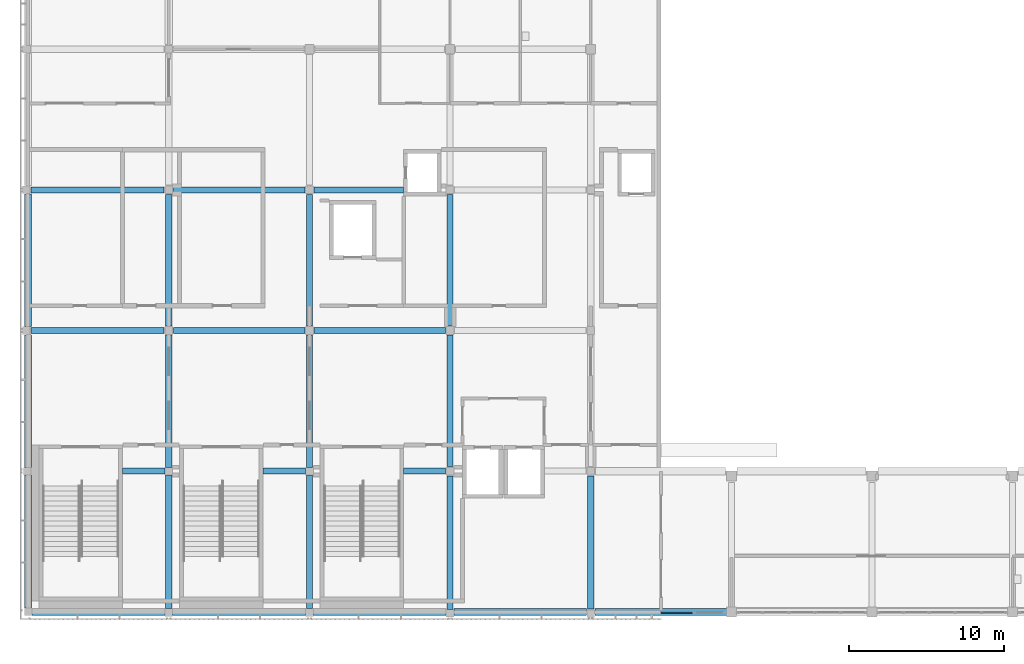
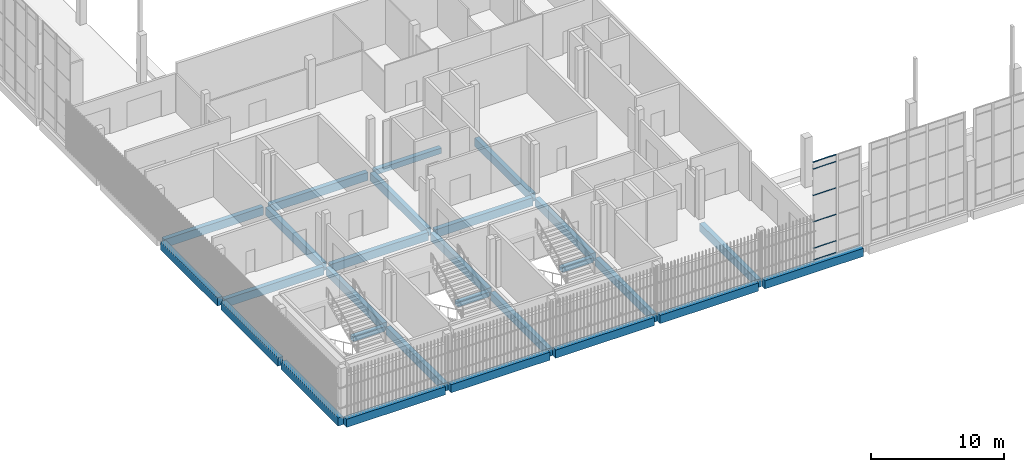
# One storey, part 3 of 91: 27 beams, 6 members, 1 element without a shape of its own.
"""IFC4 building model written with IfcOpenShell, lengths in metres."""

from ifc_helpers import new_model, si_unit, direction, frame, origin, origin_2d, place, context, subcontext, project, spatial, rectangle, hollow_rectangle, extrude, material, layer, layer_set, material_profile, profile_set, type_object, element, aggregate, save


model = new_model("IFC4")

# Units and contexts
model_context = context("Model", 3, precision=1e-05, world=origin(), true_north=direction((0.0, 1.0)))
body_context = subcontext(model_context, "Body", "Model", "MODEL_VIEW")
ifc_project = project(units=[si_unit("LENGTHUNIT", "METRE"), si_unit("AREAUNIT", "SQUARE_METRE"), si_unit("VOLUMEUNIT", "CUBIC_METRE"), si_unit("PLANEANGLEUNIT", "RADIAN"), si_unit("MASSUNIT", "GRAM", prefix="KILO")], contexts=[model_context])

# Site, building, storey
site_placement = place(None, origin())
site = spatial("IfcSite", under=ifc_project, at=site_placement, CompositionType="ELEMENT")
building_placement = place(site_placement, origin())
building = spatial("IfcBuilding", under=site, at=building_placement, Name="Shirokan Park Arena", CompositionType="ELEMENT")
storey_placement = place(building_placement, frame((0.0, 0.0, 24.570068359375)))
storey = spatial("IfcBuildingStorey", under=building, at=storey_placement, Name="L05", CompositionType="ELEMENT", Elevation=24.570068359375)

# Beams
ifc_material_1 = material(Name="Concrete C35", Category="concrete")
ifc_material_profile_1 = material_profile(ifc_material_1, rectangle(XDim=0.39990234375, YDim=0.5, at=origin_2d()), Name="400x500")
ifc_profile_set_1 = profile_set([ifc_material_profile_1], Name="Concrete C35")
beam_type_1 = type_object("IfcBeamType", Name="RC girder 400x500", PredefinedType="BEAM", material=ifc_profile_set_1)
beam_1_placement = place(storey_placement, frame((18.5, 27.300048828125, -0.550048828125), z_axis=(1.0, 0.0, 0.0), x_axis=(0.0, 1.0, 0.0)))
element("IfcBeam", 1, at=beam_1_placement, inside=storey, type_object=beam_type_1, Name="Girder 3D-4D L05", PredefinedType="BEAM", context=body_context, shape_type="SweptSolid", body=[
    extrude(rectangle(XDim=0.39990234375, YDim=0.5, at=origin_2d()), origin(), (0.0, 0.0, 1.0), 5.800048828125),
])
ifc_material_profile_2 = material_profile(ifc_material_1, rectangle(XDim=0.39990234375, YDim=0.75, at=origin_2d()), Name="400x750")
ifc_profile_set_2 = profile_set([ifc_material_profile_2], Name="Concrete C35")
beam_type_2 = type_object("IfcBeamType", Name="RC girder 400x750", PredefinedType="BEAM", material=ifc_profile_set_2)
for number, where, z_axis, x_axis, name in (
    (2, (0.175048828125, 18.199951171875, -0.675048828125), (1.0, 0.0, 0.0), (0.0, 1.0, 0.0), "Girder 1C-2C L05"),
    (3, (0.175048828125, 27.300048828125, -0.675048828125), (1.0, 0.0, 0.0), (0.0, 1.0, 0.0), "Girder 1D-2D L05"),
):
    element("IfcBeam", number, at=place(storey_placement, frame(where, z_axis=z_axis, x_axis=x_axis)), inside=storey, type_object=beam_type_2, Name=name, PredefinedType="BEAM", context=body_context, shape_type="SweptSolid", body=[
        extrude(rectangle(XDim=0.39990234375, YDim=0.75, at=origin_2d()), origin(), (0.0, 0.0, 1.0), 8.624755859375),
    ])
for number, where, z_axis, x_axis, name in (
    (4, (9.400146484375, 18.199951171875, -0.675048828125), (1.0, 0.0, 0.0), (0.0, 1.0, 0.0), "Girder 2C-3C L05"),
    (5, (9.400146484375, 27.300048828125, -0.675048828125), (1.0, 0.0, 0.0), (0.0, 1.0, 0.0), "Girder 2D-3D L05"),
):
    element("IfcBeam", number, at=place(storey_placement, frame(where, z_axis=z_axis, x_axis=x_axis)), inside=storey, type_object=beam_type_2, Name=name, PredefinedType="BEAM", context=body_context, shape_type="SweptSolid", body=[
        extrude(rectangle(XDim=0.39990234375, YDim=0.75, at=origin_2d()), origin(), (0.0, 0.0, 1.0), 8.499755859375),
    ])
beam_2_placement = place(storey_placement, frame((18.5, 18.199951171875, -0.675048828125), z_axis=(1.0, 0.0, 0.0), x_axis=(0.0, 1.0, 0.0)))
element("IfcBeam", 6, at=beam_2_placement, inside=storey, type_object=beam_type_2, Name="Girder 3C-4C L05", PredefinedType="BEAM", context=body_context, shape_type="SweptSolid", body=[
    extrude(rectangle(XDim=0.39990234375, YDim=0.75, at=origin_2d()), origin(), (0.0, 0.0, 1.0), 8.5),
])
beam_3_placement = place(storey_placement, frame((9.10009765625, 0.2001953125, -0.675048828125), z_axis=(0.0, 1.0, 0.0), x_axis=(-1.0, 0.0, 0.0)))
element("IfcBeam", 7, at=beam_3_placement, inside=storey, type_object=beam_type_2, Name="Girder 2A-2B L05", PredefinedType="BEAM", context=body_context, shape_type="SweptSolid", body=[
    extrude(rectangle(XDim=0.39990234375, YDim=0.75, at=origin_2d()), origin(), (0.0, 0.0, 1.0), 8.649658203125),
])
beam_4_placement = place(storey_placement, frame((9.10009765625, 9.35009765625, -0.675048828125), z_axis=(0.0, 1.0, 0.0), x_axis=(-1.0, 0.0, 0.0)))
element("IfcBeam", 8, at=beam_4_placement, inside=storey, type_object=beam_type_2, Name="Girder 2B-2C L05", PredefinedType="BEAM", context=body_context, shape_type="SweptSolid", body=[
    extrude(rectangle(XDim=0.39990234375, YDim=0.75, at=origin_2d()), origin(), (0.0, 0.0, 1.0), 8.5498046875),
])
beam_5_placement = place(storey_placement, frame((9.10009765625, 18.5, -0.675048828125), z_axis=(0.0, 1.0, 0.0), x_axis=(-1.0, 0.0, 0.0)))
element("IfcBeam", 9, at=beam_5_placement, inside=storey, type_object=beam_type_2, Name="Girder 2C-2D L05", PredefinedType="BEAM", context=body_context, shape_type="SweptSolid", body=[
    extrude(rectangle(XDim=0.39990234375, YDim=0.75, at=origin_2d()), origin(), (0.0, 0.0, 1.0), 8.5),
])
beam_6_placement = place(storey_placement, frame((18.199951171875, 0.2001953125, -0.675048828125), z_axis=(0.0, 1.0, 0.0), x_axis=(-1.0, 0.0, 0.0)))
element("IfcBeam", 10, at=beam_6_placement, inside=storey, type_object=beam_type_2, Name="Girder 3A-3B L05", PredefinedType="BEAM", context=body_context, shape_type="SweptSolid", body=[
    extrude(rectangle(XDim=0.39990234375, YDim=0.75, at=origin_2d()), origin(), (0.0, 0.0, 1.0), 8.649658203125),
])
beam_7_placement = place(storey_placement, frame((18.199951171875, 9.35009765625, -0.675048828125), z_axis=(0.0, 1.0, 0.0), x_axis=(-1.0, 0.0, 0.0)))
element("IfcBeam", 11, at=beam_7_placement, inside=storey, type_object=beam_type_2, Name="Girder 3B-3C L05", PredefinedType="BEAM", context=body_context, shape_type="SweptSolid", body=[
    extrude(rectangle(XDim=0.39990234375, YDim=0.75, at=origin_2d()), origin(), (0.0, 0.0, 1.0), 8.5498046875),
])
beam_8_placement = place(storey_placement, frame((18.199951171875, 18.5, -0.675048828125), z_axis=(0.0, 1.0, 0.0), x_axis=(-1.0, 0.0, 0.0)))
element("IfcBeam", 12, at=beam_8_placement, inside=storey, type_object=beam_type_2, Name="Girder 3C-3D L05", PredefinedType="BEAM", context=body_context, shape_type="SweptSolid", body=[
    extrude(rectangle(XDim=0.39990234375, YDim=0.75, at=origin_2d()), origin(), (0.0, 0.0, 1.0), 8.5),
])
beam_9_placement = place(storey_placement, frame((27.300048828125, 0.150146484375, -0.675048828125), z_axis=(0.0, 1.0, 0.0), x_axis=(-1.0, 0.0, 0.0)))
element("IfcBeam", 13, at=beam_9_placement, inside=storey, type_object=beam_type_2, Name="Girder 4A-4B L05", PredefinedType="BEAM", context=body_context, shape_type="SweptSolid", body=[
    extrude(rectangle(XDim=0.39990234375, YDim=0.75, at=origin_2d()), origin(), (0.0, 0.0, 1.0), 8.649658203125),
])
beam_10_placement = place(storey_placement, frame((27.300048828125, 9.400146484375, -0.675048828125), z_axis=(0.0, 1.0, 0.0), x_axis=(-1.0, 0.0, 0.0)))
element("IfcBeam", 14, at=beam_10_placement, inside=storey, type_object=beam_type_2, Name="Girder 4B-4C L05", PredefinedType="BEAM", context=body_context, shape_type="SweptSolid", body=[
    extrude(rectangle(XDim=0.39990234375, YDim=0.75, at=origin_2d()), origin(), (0.0, 0.0, 1.0), 8.499755859375),
])
beam_11_placement = place(storey_placement, frame((27.300048828125, 18.5, -0.675048828125), z_axis=(0.0, 1.0, 0.0), x_axis=(-1.0, 0.0, 0.0)))
element("IfcBeam", 15, at=beam_11_placement, inside=storey, type_object=beam_type_2, Name="Girder 4C-4D L05", PredefinedType="BEAM", context=body_context, shape_type="SweptSolid", body=[
    extrude(rectangle(XDim=0.39990234375, YDim=0.75, at=origin_2d()), origin(), (0.0, 0.0, 1.0), 8.5),
])
beam_12_placement = place(storey_placement, frame((36.39990234375, 0.175048828125, -0.675048828125), z_axis=(0.0, 1.0, 0.0), x_axis=(-1.0, 0.0, 0.0)))
element("IfcBeam", 16, at=beam_12_placement, inside=storey, type_object=beam_type_2, Name="Girder 5A-5B L05", PredefinedType="BEAM", context=body_context, shape_type="SweptSolid", body=[
    extrude(rectangle(XDim=0.39990234375, YDim=0.75, at=origin_2d()), origin(), (0.0, 0.0, 1.0), 8.624755859375),
])
ifc_material_profile_3 = material_profile(ifc_material_1, rectangle(XDim=0.449951171875, YDim=0.75, at=origin_2d()), Name="450x750")
ifc_profile_set_3 = profile_set([ifc_material_profile_3], Name="Concrete C35")
beam_type_3 = type_object("IfcBeamType", Name="RC girder 450x750", PredefinedType="BEAM", material=ifc_profile_set_3)
for number, where, z_axis, x_axis, name in (
    (17, (0.25, 0.0, -0.675048828125), (1.0, 0.0, 0.0), (0.0, 1.0, 0.0), "Girder 1A-2A L05"),
    (18, (9.35009765625, 0.0, -0.675048828125), (1.0, 0.0, 0.0), (0.0, 1.0, 0.0), "Girder 2A-3A L05"),
):
    element("IfcBeam", number, at=place(storey_placement, frame(where, z_axis=z_axis, x_axis=x_axis)), inside=storey, type_object=beam_type_3, Name=name, PredefinedType="BEAM", context=body_context, shape_type="SweptSolid", body=[
        extrude(rectangle(XDim=0.449951171875, YDim=0.75, at=origin_2d()), origin(), (0.0, 0.0, 1.0), 8.599853515625),
    ])
beam_13_placement = place(storey_placement, frame((18.4501953125, 0.0, -0.675048828125), z_axis=(1.0, 0.0, 0.0), x_axis=(0.0, 1.0, 0.0)))
element("IfcBeam", 19, at=beam_13_placement, inside=storey, type_object=beam_type_3, Name="Girder 3A-4A L05", PredefinedType="BEAM", context=body_context, shape_type="SweptSolid", body=[
    extrude(rectangle(XDim=0.449951171875, YDim=0.75, at=origin_2d()), origin(), (0.0, 0.0, 1.0), 8.599609375),
])
for number, where, z_axis, x_axis, name in (
    (20, (27.550048828125, 0.0, -0.675048828125), (1.0, 0.0, 0.0), (0.0, 1.0, 0.0), "Girder 4A-5A L05"),
    (21, (36.675048828125, 0.0, -0.675048828125), (1.0, 0.0, 0.0), (0.0, 1.0, 0.0), "Girder 5A-6A L05"),
):
    element("IfcBeam", number, at=place(storey_placement, frame(where, z_axis=z_axis, x_axis=x_axis)), inside=storey, type_object=beam_type_3, Name=name, PredefinedType="BEAM", context=body_context, shape_type="SweptSolid", body=[
        extrude(rectangle(XDim=0.449951171875, YDim=0.75, at=origin_2d()), origin(), (0.0, 0.0, 1.0), 8.574951171875),
    ])
beam_14_placement = place(storey_placement, frame((0.0, 0.25, -0.675048828125), z_axis=(0.0, 1.0, 0.0), x_axis=(-1.0, 0.0, 0.0)))
element("IfcBeam", 22, at=beam_14_placement, inside=storey, type_object=beam_type_3, Name="Girder 1A-1B L05", PredefinedType="BEAM", context=body_context, shape_type="SweptSolid", body=[
    extrude(rectangle(XDim=0.449951171875, YDim=0.75, at=origin_2d()), origin(), (0.0, 0.0, 1.0), 8.599853515625),
])
beam_15_placement = place(storey_placement, frame((0.0, 9.35009765625, -0.675048828125), z_axis=(0.0, 1.0, 0.0), x_axis=(-1.0, 0.0, 0.0)))
element("IfcBeam", 23, at=beam_15_placement, inside=storey, type_object=beam_type_3, Name="Girder 1B-1C L05", PredefinedType="BEAM", context=body_context, shape_type="SweptSolid", body=[
    extrude(rectangle(XDim=0.449951171875, YDim=0.75, at=origin_2d()), origin(), (0.0, 0.0, 1.0), 8.57470703125),
])
beam_16_placement = place(storey_placement, frame((0.0, 18.47509765625, -0.675048828125), z_axis=(0.0, 1.0, 0.0), x_axis=(-1.0, 0.0, 0.0)))
element("IfcBeam", 24, at=beam_16_placement, inside=storey, type_object=beam_type_3, Name="Girder 1C-1D L05", PredefinedType="BEAM", context=body_context, shape_type="SweptSolid", body=[
    extrude(rectangle(XDim=0.449951171875, YDim=0.75, at=origin_2d()), origin(), (0.0, 0.0, 1.0), 8.5498046875),
])
ifc_material_profile_4 = material_profile(ifc_material_1, rectangle(XDim=0.39990234375, YDim=0.449951171875, at=origin_2d()), Name="400x450")
ifc_profile_set_4 = profile_set([ifc_material_profile_4], Name="Concrete C35")
beam_type_4 = type_object("IfcBeamType", Name="RC trimmer 400x450", PredefinedType="BEAM", material=ifc_profile_set_4)
beam_17_placement = place(storey_placement, frame((6.10009765625, 9.10009765625, -0.525146484375), z_axis=(1.0, 0.0, 0.0), x_axis=(0.0, 1.0, 0.0)))
element("IfcBeam", 25, at=beam_17_placement, inside=storey, type_object=beam_type_4, Name="Girder 1B-2B L05", PredefinedType="BEAM", context=body_context, shape_type="SweptSolid", body=[
    extrude(rectangle(XDim=0.39990234375, YDim=0.449951171875, at=origin_2d()), origin(), (0.0, 0.0, 1.0), 2.749755859375),
])
beam_18_placement = place(storey_placement, frame((15.199951171875, 9.10009765625, -0.525146484375), z_axis=(1.0, 0.0, 0.0), x_axis=(0.0, 1.0, 0.0)))
element("IfcBeam", 26, at=beam_18_placement, inside=storey, type_object=beam_type_4, Name="Girder 2B-3B L05", PredefinedType="BEAM", context=body_context, shape_type="SweptSolid", body=[
    extrude(rectangle(XDim=0.39990234375, YDim=0.449951171875, at=origin_2d()), origin(), (0.0, 0.0, 1.0), 2.75),
])
beam_19_placement = place(storey_placement, frame((24.300048828125, 9.10009765625, -0.525146484375), z_axis=(1.0, 0.0, 0.0), x_axis=(0.0, 1.0, 0.0)))
element("IfcBeam", 27, at=beam_19_placement, inside=storey, type_object=beam_type_4, Name="Girder 3B-4B L05", PredefinedType="BEAM", context=body_context, shape_type="SweptSolid", body=[
    extrude(rectangle(XDim=0.39990234375, YDim=0.449951171875, at=origin_2d()), origin(), (0.0, 0.0, 1.0), 2.699951171875),
])

# Curtain wall, members
ifc_material_2 = material(Name="Steel and glass curtain wall", Category="steel")
ifc_layer = layer(ifc_material_2, 0.199951171875)
ifc_layer_set = layer_set([ifc_layer], Name="Steel and glass curtain wall 200 mm")
curtain_wall_type = type_object("IfcCurtainWallType", Name="Curtain wall hall bay 200", PredefinedType="NOTDEFINED", material=ifc_layer_set)
curtain_wall_placement = place(storey_placement, origin())
curtain_wall = element("IfcCurtainWall", 28, at=curtain_wall_placement, inside=storey, type_object=curtain_wall_type, Name="Curtain wall south bay 5 L05", PredefinedType="NOTDEFINED")
ifc_material_3 = material(Name="Steel S355", Category="steel")
ifc_material_profile_5 = material_profile(ifc_material_3, hollow_rectangle(XDim=0.06005859375, YDim=0.0400390625, WallThickness=0.00390625, at=origin_2d()), Name="RHS 60x40x4")
ifc_profile_set_5 = profile_set([ifc_material_profile_5], Name="Steel S355")
member_type = type_object("IfcMemberType", Name="Transom RHS 60x40x4", PredefinedType="MULLION", material=ifc_profile_set_5)
member_1_placement = place(storey_placement, frame((40.949951171875, -0.050048828125, 0.02001953125), z_axis=(1.0, 0.0, 0.0), x_axis=(0.0, 1.0, 0.0)))
member_1 = element("IfcMember", 29, at=member_1_placement, type_object=member_type, Name="CW5 transom 1.1", PredefinedType="MULLION", context=body_context, shape_type="SweptSolid", body=[
    extrude(hollow_rectangle(XDim=0.06005859375, YDim=0.0400390625, WallThickness=0.00390625, at=origin_2d()), origin(), (0.0, 0.0, 1.0), 2.012451171875),
])
member_2_placement = place(storey_placement, frame((40.949951171875, -0.050048828125, 1.099853515625), z_axis=(1.0, 0.0, 0.0), x_axis=(0.0, 1.0, 0.0)))
member_2 = element("IfcMember", 30, at=member_2_placement, type_object=member_type, Name="CW5 transom 1.2", PredefinedType="MULLION", context=body_context, shape_type="SweptSolid", body=[
    extrude(hollow_rectangle(XDim=0.06005859375, YDim=0.0400390625, WallThickness=0.00390625, at=origin_2d()), origin(), (0.0, 0.0, 1.0), 2.012451171875),
])
member_3_placement = place(storey_placement, frame((40.949951171875, -0.050048828125, 3.533203125), z_axis=(1.0, 0.0, 0.0), x_axis=(0.0, 1.0, 0.0)))
member_3 = element("IfcMember", 31, at=member_3_placement, type_object=member_type, Name="CW5 transom 1.3", PredefinedType="MULLION", context=body_context, shape_type="SweptSolid", body=[
    extrude(hollow_rectangle(XDim=0.06005859375, YDim=0.0400390625, WallThickness=0.00390625, at=origin_2d()), origin(), (0.0, 0.0, 1.0), 2.012451171875),
])
member_4_placement = place(storey_placement, frame((40.949951171875, -0.050048828125, 5.966552734375), z_axis=(1.0, 0.0, 0.0), x_axis=(0.0, 1.0, 0.0)))
member_4 = element("IfcMember", 32, at=member_4_placement, type_object=member_type, Name="CW5 transom 1.4", PredefinedType="MULLION", context=body_context, shape_type="SweptSolid", body=[
    extrude(hollow_rectangle(XDim=0.06005859375, YDim=0.0400390625, WallThickness=0.00390625, at=origin_2d()), origin(), (0.0, 0.0, 1.0), 2.012451171875),
])
member_5_placement = place(storey_placement, frame((40.949951171875, -0.050048828125, 8.39990234375), z_axis=(1.0, 0.0, 0.0), x_axis=(0.0, 1.0, 0.0)))
member_5 = element("IfcMember", 33, at=member_5_placement, type_object=member_type, Name="CW5 transom 1.5", PredefinedType="MULLION", context=body_context, shape_type="SweptSolid", body=[
    extrude(hollow_rectangle(XDim=0.06005859375, YDim=0.0400390625, WallThickness=0.00390625, at=origin_2d()), origin(), (0.0, 0.0, 1.0), 2.012451171875),
])
member_6_placement = place(storey_placement, frame((40.949951171875, -0.050048828125, 9.030029296875), z_axis=(1.0, 0.0, 0.0), x_axis=(0.0, 1.0, 0.0)))
member_6 = element("IfcMember", 34, at=member_6_placement, type_object=member_type, Name="CW5 transom 1.6", PredefinedType="MULLION", context=body_context, shape_type="SweptSolid", body=[
    extrude(hollow_rectangle(XDim=0.06005859375, YDim=0.0400390625, WallThickness=0.00390625, at=origin_2d()), origin(), (0.0, 0.0, 1.0), 2.012451171875),
])
aggregate(curtain_wall, [member_1, member_2, member_3, member_4, member_5, member_6])

save(model, "model.ifc")
